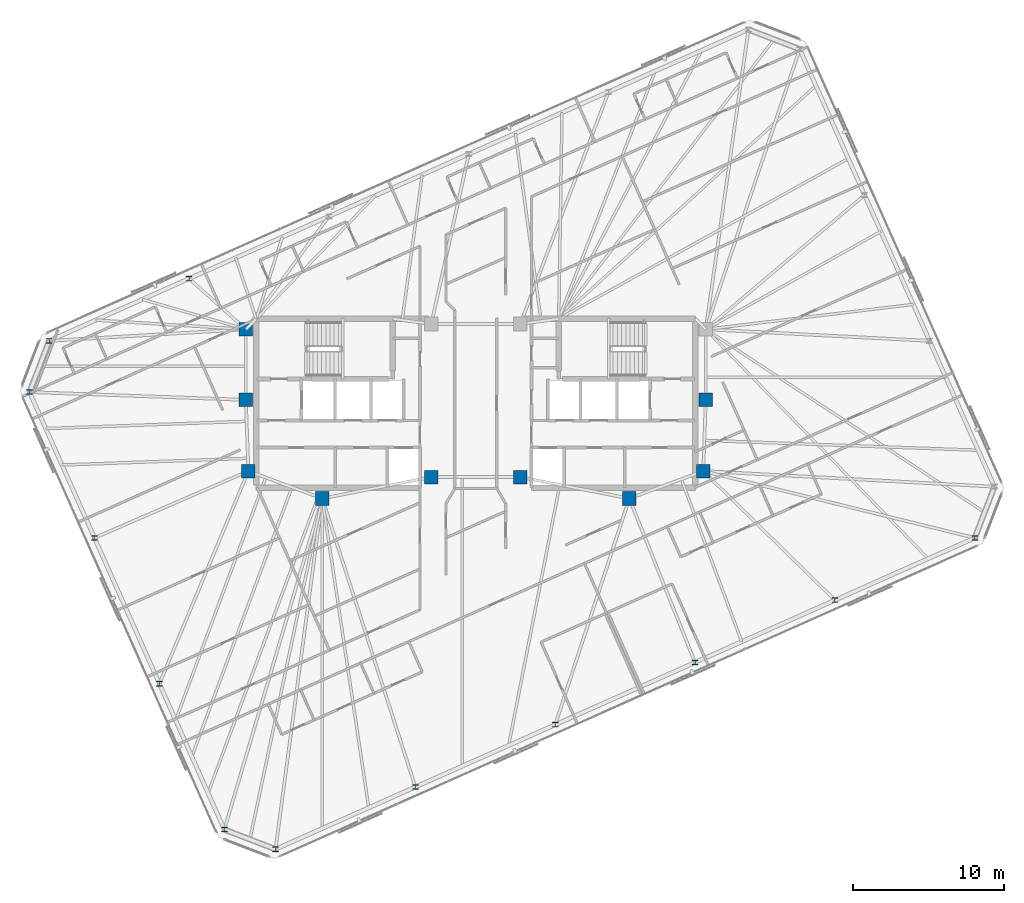
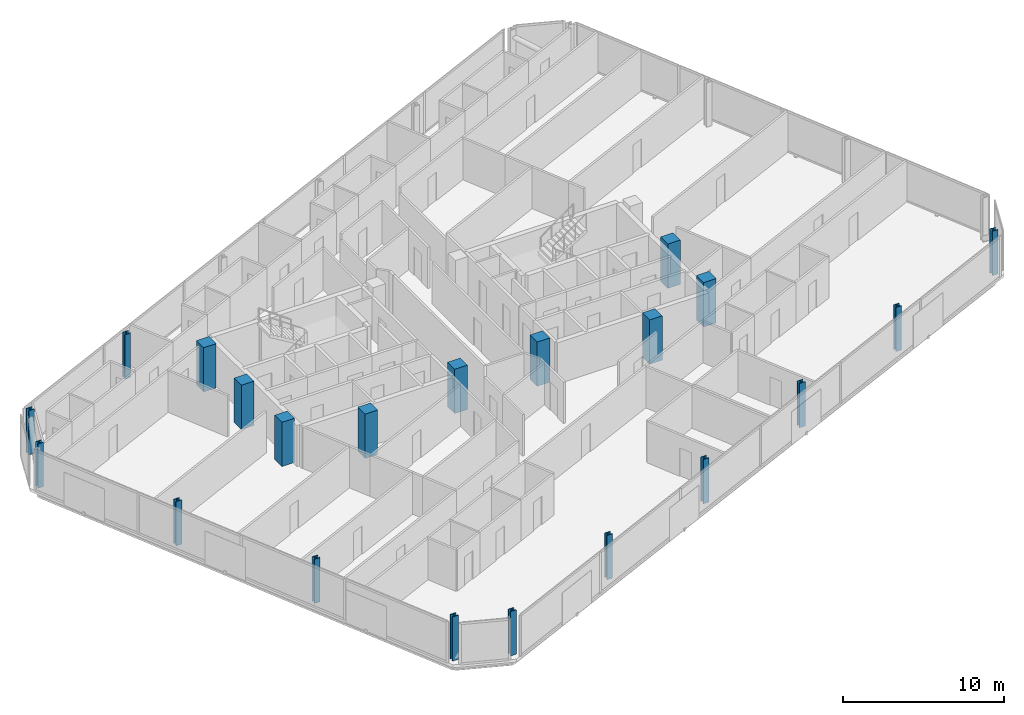
# One storey, part 1 of 19: 21 columns.
"""IFC4 building model written with IfcOpenShell, lengths in metres."""

import ifcopenshell
import ifcopenshell.guid

model = None  # the IFC model being written
_history = None  # IfcOwnerHistory: only IFC2X3 demands one
_inside = {}  # id of a spatial element -> (the spatial element, [elements in it])
_under = {}  # id of a project, library or spatial element -> (it, [spatial elements below it])
_declared = {}  # id of a project -> (the project, [libraries it declares])
_typed = {}  # id of a type object -> (the type object, [elements of that type])
_made_of = {}  # id of a material, layer set ... -> (it, [elements and type objects made of it])


def new_model(schema):
    """Start an empty IFC model of exactly this schema.

    Asked for "IFC4X3", IfcOpenShell would pick the latest addendum, in which some entities
    have other attributes; the version numbers below select the first issue.
    IFC2X3 requires an IfcOwnerHistory on every rooted entity: one is made here for all.
    """
    global model, _history
    if schema == "IFC4X3":
        model = ifcopenshell.file(schema_version=(4, 3, 0, 0))
    else:
        model = ifcopenshell.file(schema=schema)
    _inside.clear()
    _under.clear()
    _declared.clear()
    _typed.clear()
    _made_of.clear()
    _history = None
    if model.schema == "IFC2X3":
        org = make("IfcOrganization", Name="unknown")
        user = make(
            "IfcPersonAndOrganization",
            ThePerson=make("IfcPerson", FamilyName="unknown"),
            TheOrganization=org,
        )
        app = make(
            "IfcApplication",
            ApplicationDeveloper=org,
            Version="unknown",
            ApplicationFullName="unknown",
            ApplicationIdentifier="unknown",
        )
        _history = make(
            "IfcOwnerHistory",
            OwningUser=user,
            OwningApplication=app,
            ChangeAction="ADDED",
            CreationDate=0,
        )
    return model


def make(cls, **values):
    """One entity of the class cls with the attributes given. An attribute that is None is left unset."""
    return model.create_entity(
        cls, **{name: value for name, value in values.items() if value is not None}
    )


def rooted(cls, **values):
    """An entity with a GlobalId (a new one), such as an element, a storey or a relation."""
    return make(cls, GlobalId=ifcopenshell.guid.new(), OwnerHistory=_history, **values)


def si_unit(unit_type, name, prefix=None):
    """IfcSIUnit, for example si_unit("LENGTHUNIT", "METRE", prefix="MILLI")."""
    return make("IfcSIUnit", UnitType=unit_type, Prefix=prefix, Name=name)


def assignment(units):
    """IfcUnitAssignment: the units of a project."""
    return None if units is None else make("IfcUnitAssignment", Units=units)


def point(xyz):
    """IfcCartesianPoint."""
    return None if xyz is None else make("IfcCartesianPoint", Coordinates=xyz)


def direction(xyz):
    """IfcDirection."""
    return None if xyz is None else make("IfcDirection", DirectionRatios=xyz)


def frame(location, z_axis=None, x_axis=None):
    """IfcAxis2Placement3D, a coordinate frame: its origin and axes. An axis left out is left unset."""
    return make(
        "IfcAxis2Placement3D",
        Location=point(location),
        Axis=direction(z_axis),
        RefDirection=direction(x_axis),
    )


def frame_2d(location, x_axis=None):
    """IfcAxis2Placement2D, a coordinate frame in the plane: its origin and x axis."""
    return make(
        "IfcAxis2Placement2D", Location=point(location), RefDirection=direction(x_axis)
    )


def origin():
    """The frame at (0, 0, 0) with its axes left unset."""
    return frame((0.0, 0.0, 0.0))


def origin_2d():
    """The frame at (0, 0) in the plane with its x axis left unset."""
    return frame_2d((0.0, 0.0))


def place(relative_to, where):
    """IfcLocalPlacement: puts the frame where relative to a parent placement (None: the world)."""
    return make(
        "IfcLocalPlacement", PlacementRelTo=relative_to, RelativePlacement=where
    )


def context(
    kind, dimensions, precision=None, world=None, true_north=None, identifier=None
):
    """IfcGeometricRepresentationContext, for example the 3D "Model" context."""
    return make(
        "IfcGeometricRepresentationContext",
        ContextIdentifier=identifier,
        ContextType=kind,
        CoordinateSpaceDimension=dimensions,
        Precision=precision,
        WorldCoordinateSystem=world,
        TrueNorth=true_north,
    )


def subcontext(parent, identifier, kind, view, scale=None):
    """IfcGeometricRepresentationSubContext, for example "Body" below "Model"."""
    return make(
        "IfcGeometricRepresentationSubContext",
        ContextIdentifier=identifier,
        ContextType=kind,
        ParentContext=parent,
        TargetScale=scale,
        TargetView=view,
    )


def project(units=None, contexts=None):
    """IfcProject with its units and contexts."""
    return rooted(
        "IfcProject",
        Name="project",
        RepresentationContexts=contexts,
        UnitsInContext=assignment(units),
    )


def spatial(cls, under=None, at=None, **own):
    """A site, building, storey or space (cls), placed at a placement, below another one or the project."""
    s = rooted(cls, ObjectPlacement=at, **own)
    if under is not None:
        _under.setdefault(under.id(), (under, []))[1].append(s)
    return s


def profile(cls, at=None, kind="AREA", **sizes):
    """A parametric profile (cls). Its sizes go by their IFC names, for example OverallWidth=200.0."""
    return make(cls, ProfileType=kind, Position=at, **sizes)


def rectangle(**sizes):
    """IfcRectangleProfileDef."""
    return profile("IfcRectangleProfileDef", **sizes)


def i_section(**sizes):
    """IfcIShapeProfileDef."""
    return profile("IfcIShapeProfileDef", **sizes)


def extrude(swept, where, along, depth):
    """IfcExtrudedAreaSolid: the profile swept, set in the frame where, extruded along a direction by depth."""
    return make(
        "IfcExtrudedAreaSolid",
        SweptArea=swept,
        Position=where,
        ExtrudedDirection=direction(along),
        Depth=depth,
    )


def shape(context_of_items, identifier, shape_type, items):
    """IfcShapeRepresentation: the items that make up one representation, for example the "Body"."""
    return make(
        "IfcShapeRepresentation",
        ContextOfItems=context_of_items,
        RepresentationIdentifier=identifier,
        RepresentationType=shape_type,
        Items=items,
    )


def material(Name=None, Category=None):
    """IfcMaterial."""
    return make("IfcMaterial", Name=Name, Category=Category)


def material_profile(
    of_material, cross_section, Name=None, Category=None, Priority=None
):
    """IfcMaterialProfile: a cross section and its material."""
    return make(
        "IfcMaterialProfile",
        Name=Name,
        Material=of_material,
        Profile=cross_section,
        Priority=Priority,
        Category=Category,
    )


def profile_set(profiles, Name=None, composite=None):
    """IfcMaterialProfileSet."""
    return make(
        "IfcMaterialProfileSet",
        Name=Name,
        MaterialProfiles=profiles,
        CompositeProfile=composite,
    )


def made_of(thing, what):
    """Note that an element or type object is made of a material, layer set ...; save() writes the relation."""
    if what is not None:
        _made_of.setdefault(what.id(), (what, []))[1].append(thing)
    return thing


def type_object(cls, material=None, **own):
    """A type object (cls), such as IfcWallType, which elements share."""
    return made_of(rooted(cls, **own), material)


def element(
    cls,
    number,
    at=None,
    inside=None,
    cuts=None,
    type_object=None,
    material=None,
    context=None,
    identifier="Body",
    shape_type=None,
    held_by="IfcProductDefinitionShape",
    body=None,
    shapes=None,
    **own,
):
    """One element of the class cls, such as IfcWall. Its Tag is "e" and its number.

    at: its placement. inside: the storey or other place that contains it. cuts: it is an
    opening in that element (IfcRelVoidsElement). A single representation is given by context,
    identifier, shape_type and body (its items); several are given by shapes. held_by: the class
    of the entity that holds the representations. save() writes the other relations.
    """
    e = rooted(cls, Tag="e%d" % number, ObjectPlacement=at, **own)
    if body is not None:
        shapes = [shape(context, identifier, shape_type, body)]
    if shapes is not None:
        e.Representation = make(held_by, Representations=shapes)
    if inside is not None:
        _inside.setdefault(inside.id(), (inside, []))[1].append(e)
    if cuts is not None:
        rooted(
            "IfcRelVoidsElement", RelatingBuildingElement=cuts, RelatedOpeningElement=e
        )
    if type_object is not None:
        _typed.setdefault(type_object.id(), (type_object, []))[1].append(e)
    return made_of(e, material)


def aggregate(whole, parts):
    """IfcRelAggregates: a whole, such as a stair, and the parts it consists of."""
    return rooted("IfcRelAggregates", RelatingObject=whole, RelatedObjects=parts)


def save(model, path):
    """Write the relations noted so far, then the file.

    IfcRelAggregates (storeys below a building ...), IfcRelContainedInSpatialStructure (elements
    in a storey), IfcRelDefinesByType, IfcRelAssociatesMaterial and IfcRelDeclares: one each for
    every whole, place, type object, material and project.
    """
    for whole, parts in _under.values():
        aggregate(whole, parts)
    for where, things in _inside.values():
        rooted(
            "IfcRelContainedInSpatialStructure",
            RelatedElements=things,
            RelatingStructure=where,
        )
    for kind, things in _typed.values():
        rooted("IfcRelDefinesByType", RelatedObjects=things, RelatingType=kind)
    for what, things in _made_of.values():
        rooted("IfcRelAssociatesMaterial", RelatedObjects=things, RelatingMaterial=what)
    for by, libraries in _declared.values():
        rooted("IfcRelDeclares", RelatingContext=by, RelatedDefinitions=libraries)
    model.write(path)


model = new_model("IFC4")

# Units and contexts
model_context = context("Model", 3, precision=1e-05, world=origin(), true_north=direction((0.0, 1.0)))
body_context = subcontext(model_context, "Body", "Model", "MODEL_VIEW")
ifc_project = project(units=[si_unit("LENGTHUNIT", "METRE"), si_unit("AREAUNIT", "SQUARE_METRE"), si_unit("VOLUMEUNIT", "CUBIC_METRE"), si_unit("PLANEANGLEUNIT", "RADIAN"), si_unit("MASSUNIT", "GRAM", prefix="KILO")], contexts=[model_context])

# Site, building, storey
site_placement = place(None, origin())
site = spatial("IfcSite", under=ifc_project, at=site_placement, CompositionType="ELEMENT")
building_placement = place(site_placement, origin())
building = spatial("IfcBuilding", under=site, at=building_placement, Name="Menara Jurai Vektor", CompositionType="ELEMENT")
storey_placement = place(building_placement, frame((0.0, 0.0, 291.949951171875)))
storey = spatial("IfcBuildingStorey", under=building, at=storey_placement, Name="L78", CompositionType="ELEMENT", Elevation=291.949951171875)

# Columns
ifc_material_1 = material(Name="Concrete C50/60", Category="concrete")
ifc_material_profile_1 = material_profile(ifc_material_1, rectangle(XDim=0.89990234375, YDim=0.89990234375, at=origin_2d()), Name="RC 900x900")
ifc_profile_set_1 = profile_set([ifc_material_profile_1], Name="Concrete C50/60")
column_type_1 = type_object("IfcColumnType", Name="STR-COL-RC900", PredefinedType="COLUMN", material=ifc_profile_set_1)
for number, where, z_axis, x_axis, name in (
    (1, (-15.25, 4.89990234375, 0.0), (0.0, 0.0, 1.0), (1.0, 0.0, 0.0), "Core Spine Column CW-NW L78"),
    (2, (-15.25, 0.219970703125, 0.0), (0.0, 0.0, 1.0), (1.0, 0.0, 0.0), "Core Spine Column CW-WM L78"),
    (3, (-15.080078125, -4.5, 0.0), (0.0, 0.0, 1.0), (1.0, 0.0, 0.0), "Core Spine Column CW-SW L78"),
    (4, (-10.179931640625, -6.320068359375, 0.0), (0.0, 0.0, 1.0), (1.0, 0.0, 0.0), "Core Spine Column CW-SM L78"),
    (5, (-2.949951171875, -4.89990234375, 0.0), (0.0, 0.0, 1.0), (1.0, 0.0, 0.0), "Core Spine Column CW-SE L78"),
    (6, (15.25, 0.219970703125, 0.0), (0.0, 0.0, 1.0), (1.0, 0.0, 0.0), "Core Spine Column CE-EM L78"),
    (7, (15.080078125, -4.5, 0.0), (0.0, 0.0, 1.0), (1.0, 0.0, 0.0), "Core Spine Column CE-SE L78"),
    (8, (10.179931640625, -6.320068359375, 0.0), (0.0, 0.0, 1.0), (1.0, 0.0, 0.0), "Core Spine Column CE-SM L78"),
    (9, (2.949951171875, -4.89990234375, 0.0), (0.0, 0.0, 1.0), (1.0, 0.0, 0.0), "Core Spine Column CE-SW L78"),
):
    element("IfcColumn", number, at=place(storey_placement, frame(where, z_axis=z_axis, x_axis=x_axis)), inside=storey, type_object=column_type_1, Name=name, PredefinedType="COLUMN", context=body_context, shape_type="SweptSolid", body=[
        extrude(rectangle(XDim=0.89990234375, YDim=0.89990234375, at=origin_2d()), origin(), (0.0, 0.0, 1.0), 3.35009765625),
    ])
ifc_material_2 = material(Name="Steel S460", Category="steel")
ifc_material_profile_2 = material_profile(ifc_material_2, i_section(OverallWidth=0.40087890625, OverallDepth=0.3349609375, WebThickness=0.035888671875, FlangeThickness=0.05810546875, FilletRadius=0.014892578125, at=origin_2d()), Name="HD 400x463")
ifc_profile_set_2 = profile_set([ifc_material_profile_2], Name="Steel S460")
column_type_2 = type_object("IfcColumnType", Name="STR-EXO-BLK5", PredefinedType="COLUMN", material=ifc_profile_set_2)
for number, where, z_axis, x_axis, name in (
    (10, (-13.279541015625, -29.576904296875, 0.0), (0.0, 0.0, 1.0), (1.0, 0.0, 0.0), "Exoskeleton Column BLK5-S1 L78"),
    (11, (-4.006103515625, -25.4482421875, 0.0), (0.0, 0.0, 1.0), (1.0, 0.0, 0.0), "Exoskeleton Column BLK5-S2 L78"),
    (12, (5.267578125, -21.3193359375, 0.0), (0.0, 0.0, 1.0), (1.0, 0.0, 0.0), "Exoskeleton Column BLK5-S3 L78"),
    (13, (14.541015625, -17.1904296875, 0.0), (0.0, 0.0, 1.0), (1.0, 0.0, 0.0), "Exoskeleton Column BLK5-S4 L78"),
    (14, (23.814453125, -13.061767578125, 0.0), (0.0, 0.0, 1.0), (1.0, 0.0, 0.0), "Exoskeleton Column BLK5-S5 L78"),
    (15, (33.088134765625, -8.932861328125, 0.0), (0.0, 0.0, 1.0), (1.0, 0.0, 0.0), "Exoskeleton Column BLK5-S6 L78"),
    (16, (-19.0146484375, 8.26171875, 0.0), (0.0, 0.0, 1.0), (1.0, 0.0, 0.0), "Exoskeleton Column BLK5-N5 L78"),
    (17, (-28.2880859375, 4.1328125, 0.0), (0.0, 0.0, 1.0), (1.0, 0.0, 0.0), "Exoskeleton Column BLK5-N6 L78"),
    (18, (-29.591796875, 0.73681640625, 0.0), (0.0, 0.0, 1.0), (1.0, 0.0, 0.0), "Exoskeleton Column BLK5-W1 L78"),
    (19, (-25.286376953125, -8.933349609375, 0.0), (0.0, 0.0, 1.0), (1.0, 0.0, 0.0), "Exoskeleton Column BLK5-W2 L78"),
    (20, (-20.98095703125, -18.603271484375, 0.0), (0.0, 0.0, 1.0), (1.0, 0.0, 0.0), "Exoskeleton Column BLK5-W3 L78"),
    (21, (-16.675537109375, -28.2734375, 0.0), (0.0, 0.0, 1.0), (1.0, 0.0, 0.0), "Exoskeleton Column BLK5-W4 L78"),
):
    element("IfcColumn", number, at=place(storey_placement, frame(where, z_axis=z_axis, x_axis=x_axis)), inside=storey, type_object=column_type_2, Name=name, PredefinedType="COLUMN", context=body_context, shape_type="SweptSolid", body=[
        extrude(i_section(OverallWidth=0.40087890625, OverallDepth=0.3349609375, WebThickness=0.035888671875, FlangeThickness=0.05810546875, FilletRadius=0.014892578125, at=origin_2d()), origin(), (0.0, 0.0, 1.0), 3.35009765625),
    ])

save(model, "model.ifc")
